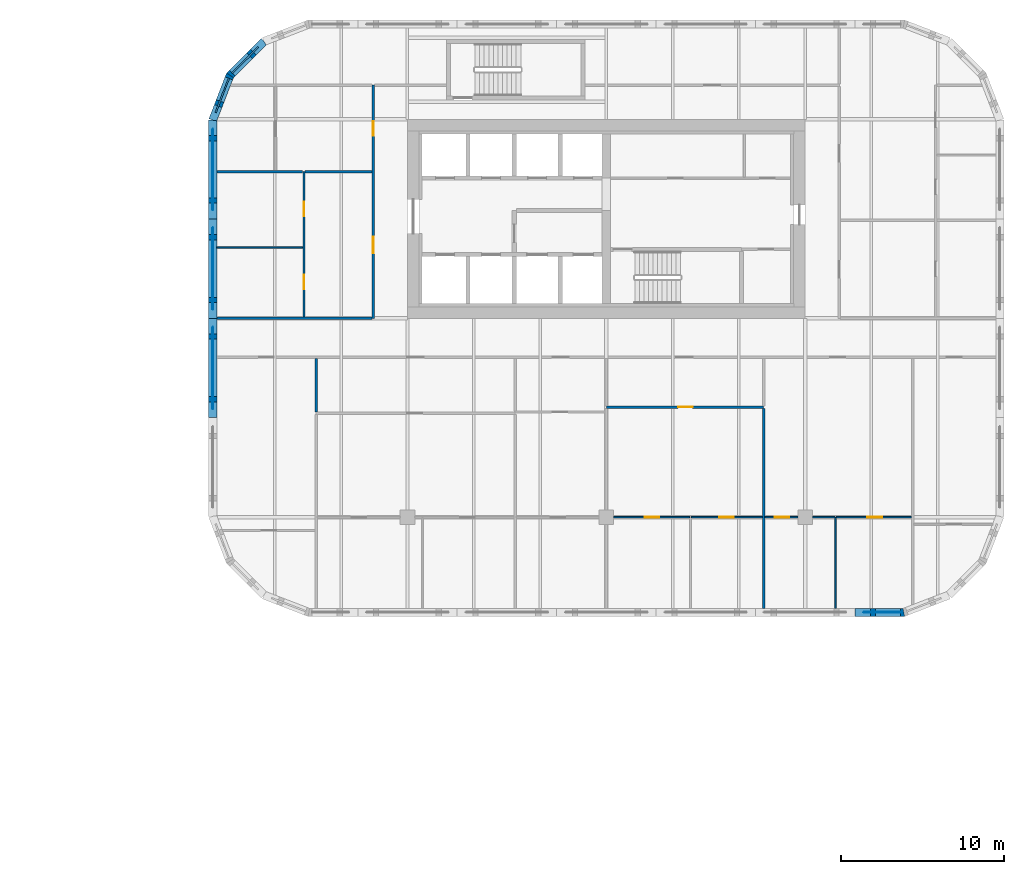
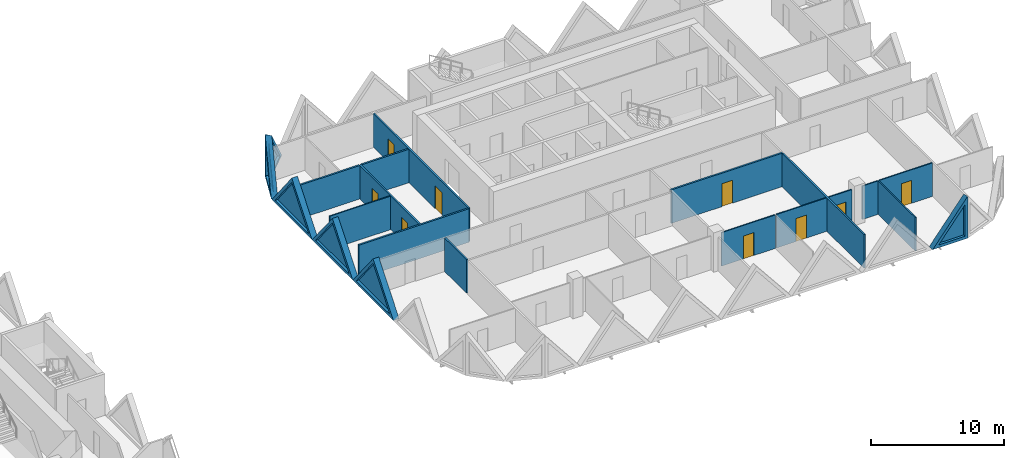
# One storey, part 12 of 19: 21 walls, 9 doors, 6 plates, 15 openings.
"""IFC4 building model written with IfcOpenShell, lengths in metres."""

from ifc_helpers import new_model, si_unit, direction, frame, frame_2d, origin, place, context, subcontext, project, spatial, polyline, rectangle, outline, extrude, faceted_brep, source, transform, mapped, material, layer, layer_set, type_object, element, fill, save


model = new_model("IFC4")

# Units and contexts
model_context = context("Model", 3, precision=1e-05, world=origin(), true_north=direction((0.0, 1.0)))
body_context = subcontext(model_context, "Body", "Model", "MODEL_VIEW")
ifc_project = project(units=[si_unit("LENGTHUNIT", "METRE"), si_unit("AREAUNIT", "SQUARE_METRE"), si_unit("VOLUMEUNIT", "CUBIC_METRE"), si_unit("PLANEANGLEUNIT", "RADIAN"), si_unit("MASSUNIT", "GRAM", prefix="KILO")], contexts=[model_context])

# Site, building, storey
site_placement = place(None, origin())
site = spatial("IfcSite", under=ifc_project, at=site_placement, CompositionType="ELEMENT")
building_placement = place(site_placement, origin())
building = spatial("IfcBuilding", under=site, at=building_placement, Name="Tessera Gate Towers", CompositionType="ELEMENT")
storey_placement = place(building_placement, frame((0.0, 0.0, 25.800048828125)))
storey = spatial("IfcBuildingStorey", under=building, at=storey_placement, Name="L05", CompositionType="ELEMENT", Elevation=25.800048828125)

# Wall
ifc_material_1 = material(Name="Gypsum board on steel studs, mineral wool", Category="steel")
ifc_layer_1 = layer(ifc_material_1, 0.14990234375)
ifc_layer_set_1 = layer_set([ifc_layer_1], Name="CORRIDOR WALL 150")
wall_type_1 = type_object("IfcWallType", Name="CORRIDOR WALL 150", PredefinedType="PARTITIONING", material=ifc_layer_set_1)
wall_1_placement = place(storey_placement, frame((85.89990234375, 36.60009765625, 0.0), z_axis=(0.0, 0.0, 1.0), x_axis=(1.0, 0.0, 0.0)))
element("IfcWall", 1, at=wall_1_placement, inside=storey, type_object=wall_type_1, Name="T2-L05-PW-028", PredefinedType="PARTITIONING", context=body_context, shape_type="SweptSolid", body=[
    extrude(rectangle(XDim=9.524169921875, YDim=0.14990234375, at=frame_2d((4.76220703125, 0.0))), origin(), (0.0, 0.0, 1.0), 3.06689453125),
])

# Wall, openings, doors
wall_2_placement = place(storey_placement, frame((95.5, 36.60009765625, 0.0), z_axis=(0.0, 0.0, 1.0), x_axis=(0.0, 1.0, 0.0)))
wall_2 = element("IfcWall", 2, at=wall_2_placement, inside=storey, type_object=wall_type_1, Name="T2-L05-PW-029", PredefinedType="PARTITIONING", context=body_context, shape_type="SweptSolid", body=[
    extrude(rectangle(XDim=14.2998046875, YDim=0.14990234375, at=frame_2d((7.14990234375, 0.0))), origin(), (0.0, 0.0, 1.0), 3.06689453125),
])
shared_shape_1 = source(origin(), body_context, "Body", "SweptSolid", [
    extrude(rectangle(XDim=0.89990234375, YDim=2.10009765625, at=frame_2d((0.449951171875, 1.050048828125))), frame((0.0, 0.0849609375, 0.0), z_axis=(0.0, -1.0, 0.0), x_axis=(1.0, 0.0, 0.0)), (0.0, 0.0, 1.0), 0.169921875),
])
opening_1_placement = place(wall_2_placement, frame((11.200927734375, 0.0, 0.0)))
opening_1 = element("IfcOpeningElement", 3, at=opening_1_placement, cuts=wall_2, Name="Opening D890FD60-B03-02", PredefinedType="OPENING", context=body_context, shape_type="MappedRepresentation", body=[
    mapped(shared_shape_1, transform((0.0, 0.0, 0.0), scale=1.0)),
])
shared_shape_2 = source(origin(), body_context, "Body", "SweptSolid", [
    extrude(rectangle(XDim=1.0, YDim=2.10009765625, at=frame_2d((0.5, 1.050048828125))), frame((0.0, 0.0849609375, 0.0), z_axis=(0.0, -1.0, 0.0), x_axis=(1.0, 0.0, 0.0)), (0.0, 0.0, 1.0), 0.169921875),
])
opening_2_placement = place(wall_2_placement, frame((4.0, 0.0, 0.0)))
opening_2 = element("IfcOpeningElement", 4, at=opening_2_placement, cuts=wall_2, Name="Opening D2100FD60-B03-06", PredefinedType="OPENING", context=body_context, shape_type="MappedRepresentation", body=[
    mapped(shared_shape_2, transform((0.0, 0.0, 0.0), scale=1.0)),
])
ifc_material_2 = material(Name="Timber door leaf in steel frame", Category="steel")
door_type_1 = type_object("IfcDoorType", Name="CORRIDOR DOOR 900 FD60", OperationType="NOTDEFINED", PredefinedType="DOOR", material=ifc_material_2)
shared_shape_3 = source(origin(), body_context, "Body", "SweptSolid", [
    extrude(rectangle(XDim=0.89990234375, YDim=2.10009765625, at=frame_2d((0.449951171875, 1.050048828125))), frame((0.0, 0.02490234375, 0.0), z_axis=(0.0, -1.0, 0.0), x_axis=(1.0, 0.0, 0.0)), (0.0, 0.0, 1.0), 0.050048828125),
])
door_1_placement = place(opening_1_placement, origin())
door_1 = element("IfcDoor", 5, at=door_1_placement, inside=storey, type_object=door_type_1, Name="T2-L05-PD-012", OperationType="SINGLE_SWING_LEFT", OverallHeight=2.10009765625, OverallWidth=0.89990234375, PredefinedType="DOOR", context=body_context, shape_type="MappedRepresentation", body=[
    mapped(shared_shape_3, transform((0.0, 0.0, 0.0), scale=1.0)),
])
fill(opening_1, door_1)
ifc_material_3 = material(Name="Timber door leaf in steel frame", Category="steel")
door_type_2 = type_object("IfcDoorType", Name="TENANCY ENTRANCE DOOR 1000 FD60", OperationType="NOTDEFINED", PredefinedType="DOOR", material=ifc_material_3)
shared_shape_4 = source(origin(), body_context, "Body", "SweptSolid", [
    extrude(rectangle(XDim=1.0, YDim=2.10009765625, at=frame_2d((0.5, 1.050048828125))), frame((0.0, 0.02490234375, 0.0), z_axis=(0.0, -1.0, 0.0), x_axis=(1.0, 0.0, 0.0)), (0.0, 0.0, 1.0), 0.050048828125),
])
door_2_placement = place(opening_2_placement, origin())
door_2 = element("IfcDoor", 6, at=door_2_placement, inside=storey, type_object=door_type_2, Name="T2-L05-PD-028", OperationType="SINGLE_SWING_LEFT", OverallHeight=2.10009765625, OverallWidth=1.0, PredefinedType="DOOR", context=body_context, shape_type="MappedRepresentation", body=[
    mapped(shared_shape_4, transform((0.0, 0.0, 0.0), scale=1.0)),
])
fill(opening_2, door_2)

# Wall
ifc_material_4 = material(Name="Gypsum board on steel studs", Category="steel")
ifc_layer_2 = layer(ifc_material_4, 0.10009765625)
ifc_layer_set_2 = layer_set([ifc_layer_2], Name="PARTITION 100")
wall_type_2 = type_object("IfcWallType", Name="PARTITION 100", PredefinedType="PARTITIONING", material=ifc_layer_set_2)
wall_3_placement = place(storey_placement, frame((123.8701171875, 18.800048828125, 0.0), z_axis=(0.0, 0.0, 1.0), x_axis=(0.0, 1.0, 0.0)))
element("IfcWall", 7, at=wall_3_placement, inside=storey, type_object=wall_type_2, Name="T2-L05-PW-007", PredefinedType="PARTITIONING", context=body_context, shape_type="SweptSolid", body=[
    extrude(rectangle(XDim=5.599853515625, YDim=0.10009765625, at=frame_2d((2.7998046875, 0.0))), origin(), (0.0, 0.0, 1.0), 3.06689453125),
])

# Wall, opening, door
wall_4_placement = place(storey_placement, frame((114.91162109375, 24.39990234375, 0.0), z_axis=(0.0, 0.0, 1.0), x_axis=(-1.0, 0.0, 0.0)))
wall_4 = element("IfcWall", 8, at=wall_4_placement, inside=storey, type_object=wall_type_2, Name="T2-L05-PW-014", PredefinedType="PARTITIONING", context=body_context, shape_type="SweptSolid", body=[
    extrude(rectangle(XDim=4.66064453125, YDim=0.10009765625, at=frame_2d((2.330322265625, 0.0))), origin(), (0.0, 0.0, 1.0), 3.06689453125),
])
shared_shape_5 = source(origin(), body_context, "Body", "SweptSolid", [
    extrude(rectangle(XDim=0.89990234375, YDim=2.10009765625, at=frame_2d((0.449951171875, 1.050048828125))), frame((0.0, 0.06005859375, 0.0), z_axis=(0.0, -1.0, 0.0), x_axis=(1.0, 0.0, 0.0)), (0.0, 0.0, 1.0), 0.1201171875),
])
opening_3_placement = place(wall_4_placement, frame((1.860595703125, 0.0, 0.0)))
opening_3 = element("IfcOpeningElement", 9, at=opening_3_placement, cuts=wall_4, Name="Opening D190-B03-07", PredefinedType="OPENING", context=body_context, shape_type="MappedRepresentation", body=[
    mapped(shared_shape_5, transform((0.0, 0.0, 0.0), scale=1.0)),
])
ifc_material_5 = material(Name="Timber door leaf in steel frame", Category="steel")
door_type_3 = type_object("IfcDoorType", Name="INTERNAL DOOR 900 NOT RATED", OperationType="NOTDEFINED", PredefinedType="DOOR", material=ifc_material_5)
door_3_placement = place(opening_3_placement, origin())
door_3 = element("IfcDoor", 10, at=door_3_placement, inside=storey, type_object=door_type_3, Name="T2-L05-PD-007", OperationType="SINGLE_SWING_RIGHT", OverallHeight=2.10009765625, OverallWidth=0.89990234375, PredefinedType="DOOR", context=body_context, shape_type="MappedRepresentation", body=[
    mapped(shared_shape_3, transform((0.0, 0.0, 0.0), scale=1.0)),
])
fill(opening_3, door_3)

wall_5_placement = place(storey_placement, frame((119.3740234375, 24.39990234375, 0.0), z_axis=(0.0, 0.0, 1.0), x_axis=(-1.0, 0.0, 0.0)))
wall_5 = element("IfcWall", 11, at=wall_5_placement, inside=storey, type_object=wall_type_2, Name="T2-L05-PW-015", PredefinedType="PARTITIONING", context=body_context, shape_type="SweptSolid", body=[
    extrude(rectangle(XDim=4.360107421875, YDim=0.10009765625, at=frame_2d((2.18017578125, 0.0))), origin(), (0.0, 0.0, 1.0), 3.06689453125),
])
opening_4_placement = place(wall_5_placement, frame((1.76025390625, 0.0, 0.0)))
opening_4 = element("IfcOpeningElement", 12, at=opening_4_placement, cuts=wall_5, Name="Opening D190-B03-04", PredefinedType="OPENING", context=body_context, shape_type="MappedRepresentation", body=[
    mapped(shared_shape_5, transform((0.0, 0.0, 0.0), scale=1.0)),
])
door_4_placement = place(opening_4_placement, origin())
door_4 = element("IfcDoor", 13, at=door_4_placement, inside=storey, type_object=door_type_3, Name="T2-L05-PD-004", OperationType="SINGLE_SWING_RIGHT", OverallHeight=2.10009765625, OverallWidth=0.89990234375, PredefinedType="DOOR", context=body_context, shape_type="MappedRepresentation", body=[
    mapped(shared_shape_3, transform((0.0, 0.0, 0.0), scale=1.0)),
])
fill(opening_4, door_4)

wall_6_placement = place(storey_placement, frame((121.549072265625, 24.39990234375, 0.0), z_axis=(0.0, 0.0, 1.0), x_axis=(-1.0, 0.0, 0.0)))
wall_6 = element("IfcWall", 14, at=wall_6_placement, inside=storey, type_object=wall_type_2, Name="T2-L05-PW-016", PredefinedType="PARTITIONING", context=body_context, shape_type="SweptSolid", body=[
    extrude(rectangle(XDim=2.023193359375, YDim=0.10009765625, at=frame_2d((1.01171875, 0.0))), origin(), (0.0, 0.0, 1.0), 3.06689453125),
])
opening_5_placement = place(wall_6_placement, frame((0.52294921875, 0.0, 0.0)))
opening_5 = element("IfcOpeningElement", 15, at=opening_5_placement, cuts=wall_6, Name="Opening D190-B03-01", PredefinedType="OPENING", context=body_context, shape_type="MappedRepresentation", body=[
    mapped(shared_shape_5, transform((0.0, 0.0, 0.0), scale=1.0)),
])
door_5_placement = place(opening_5_placement, origin())
door_5 = element("IfcDoor", 16, at=door_5_placement, inside=storey, type_object=door_type_3, Name="T2-L05-PD-001", OperationType="SINGLE_SWING_RIGHT", OverallHeight=2.10009765625, OverallWidth=0.89990234375, PredefinedType="DOOR", context=body_context, shape_type="MappedRepresentation", body=[
    mapped(shared_shape_3, transform((0.0, 0.0, 0.0), scale=1.0)),
])
fill(opening_5, door_5)

# Wall
wall_7_placement = place(storey_placement, frame((122.450927734375, 24.39990234375, 0.0), z_axis=(0.0, 0.0, 1.0), x_axis=(1.0, 0.0, 0.0)))
element("IfcWall", 17, at=wall_7_placement, inside=storey, type_object=wall_type_2, Name="T2-L05-PW-017", PredefinedType="PARTITIONING", context=body_context, shape_type="SweptSolid", body=[
    extrude(rectangle(XDim=1.368408203125, YDim=0.10009765625, at=frame_2d((0.68408203125, 0.0))), origin(), (0.0, 0.0, 1.0), 3.06689453125),
])

# Wall, opening, door
wall_8_placement = place(storey_placement, frame((128.52392578125, 24.39990234375, 0.0), z_axis=(0.0, 0.0, 1.0), x_axis=(-1.0, 0.0, 0.0)))
wall_8 = element("IfcWall", 18, at=wall_8_placement, inside=storey, type_object=wall_type_2, Name="T2-L05-PW-018", PredefinedType="PARTITIONING", context=body_context, shape_type="SweptSolid", body=[
    extrude(rectangle(XDim=4.6025390625, YDim=0.10009765625, at=frame_2d((2.30126953125, 0.0))), origin(), (0.0, 0.0, 1.0), 3.06689453125),
])
opening_6_placement = place(wall_8_placement, frame((1.802734375, 0.0, 0.0)))
opening_6 = element("IfcOpeningElement", 19, at=opening_6_placement, cuts=wall_8, Name="Opening D190-B03-05", PredefinedType="OPENING", context=body_context, shape_type="MappedRepresentation", body=[
    mapped(shared_shape_5, transform((0.0, 0.0, 0.0), scale=1.0)),
])
door_6_placement = place(opening_6_placement, origin())
door_6 = element("IfcDoor", 20, at=door_6_placement, inside=storey, type_object=door_type_3, Name="T2-L05-PD-005", OperationType="SINGLE_SWING_RIGHT", OverallHeight=2.10009765625, OverallWidth=0.89990234375, PredefinedType="DOOR", context=body_context, shape_type="MappedRepresentation", body=[
    mapped(shared_shape_3, transform((0.0, 0.0, 0.0), scale=1.0)),
])
fill(opening_6, door_6)

# Walls
wall_9_placement = place(storey_placement, frame((85.89990234375, 40.947998046875, 0.0), z_axis=(0.0, 0.0, 1.0), x_axis=(1.0, 0.0, 0.0)))
element("IfcWall", 21, at=wall_9_placement, inside=storey, type_object=wall_type_2, Name="T2-L05-PW-034", PredefinedType="PARTITIONING", context=body_context, shape_type="SweptSolid", body=[
    extrude(rectangle(XDim=5.274169921875, YDim=0.10009765625, at=frame_2d((2.63720703125, 0.0))), origin(), (0.0, 0.0, 1.0), 3.06689453125),
])
ifc_material_6 = material(Name="Gypsum board on steel studs, mineral wool", Category="steel")
ifc_layer_3 = layer(ifc_material_6, 0.14990234375)
ifc_layer_set_3 = layer_set([ifc_layer_3], Name="TENANCY WALL 150")
wall_type_3 = type_object("IfcWallType", Name="TENANCY WALL 150", PredefinedType="PARTITIONING", material=ifc_layer_set_3)
wall_10_placement = place(storey_placement, frame((119.449951171875, 18.800048828125, 0.0), z_axis=(0.0, 0.0, 1.0), x_axis=(0.0, 1.0, 0.0)))
element("IfcWall", 22, at=wall_10_placement, inside=storey, type_object=wall_type_3, Name="T2-L05-PW-006", PredefinedType="PARTITIONING", context=body_context, shape_type="SweptSolid", body=[
    extrude(rectangle(XDim=12.27392578125, YDim=0.14990234375, at=frame_2d((6.136962890625, 0.0))), origin(), (0.0, 0.0, 1.0), 3.06689453125),
])
wall_11_placement = place(storey_placement, frame((92.0, 30.85107421875, 0.0), z_axis=(0.0, 0.0, 1.0), x_axis=(0.0, 1.0, 0.0)))
element("IfcWall", 23, at=wall_11_placement, inside=storey, type_object=wall_type_3, Name="T2-L05-PW-021", PredefinedType="PARTITIONING", context=body_context, shape_type="SweptSolid", body=[
    extrude(rectangle(XDim=3.27294921875, YDim=0.14990234375, at=frame_2d((1.636474609375, 0.0))), origin(), (0.0, 0.0, 1.0), 3.06689453125),
])

# Wall, opening, door
wall_12_placement = place(storey_placement, frame((119.449951171875, 31.14990234375, 0.0), z_axis=(0.0, 0.0, 1.0), x_axis=(-1.0, 0.0, 0.0)))
wall_12 = element("IfcWall", 24, at=wall_12_placement, inside=storey, type_object=wall_type_3, Name="T2-L05-PW-024", PredefinedType="PARTITIONING", context=body_context, shape_type="SweptSolid", body=[
    extrude(rectangle(XDim=9.64990234375, YDim=0.14990234375, at=frame_2d((4.824951171875, 0.0))), origin(), (0.0, 0.0, 1.0), 3.06689453125),
])
opening_7_placement = place(wall_12_placement, frame((4.35009765625, 0.0, 0.0)))
opening_7 = element("IfcOpeningElement", 25, at=opening_7_placement, cuts=wall_12, Name="Opening D190-B03-16", PredefinedType="OPENING", context=body_context, shape_type="MappedRepresentation", body=[
    mapped(shared_shape_1, transform((0.0, 0.0, 0.0), scale=1.0)),
])
door_7_placement = place(opening_7_placement, origin())
door_7 = element("IfcDoor", 26, at=door_7_placement, inside=storey, type_object=door_type_3, Name="T2-L05-PD-024", OperationType="SINGLE_SWING_RIGHT", OverallHeight=2.10009765625, OverallWidth=0.89990234375, PredefinedType="DOOR", context=body_context, shape_type="MappedRepresentation", body=[
    mapped(shared_shape_3, transform((0.0, 0.0, 0.0), scale=1.0)),
])
fill(opening_7, door_7)

# Wall, openings, doors
wall_13_placement = place(storey_placement, frame((91.25, 36.676025390625, 0.0), z_axis=(0.0, 0.0, 1.0), x_axis=(0.0, 1.0, 0.0)))
wall_13 = element("IfcWall", 27, at=wall_13_placement, inside=storey, type_object=wall_type_3, Name="T2-L05-PW-032", PredefinedType="PARTITIONING", context=body_context, shape_type="SweptSolid", body=[
    extrude(rectangle(XDim=8.924072265625, YDim=0.14990234375, at=frame_2d((4.4619140625, 0.0))), origin(), (0.0, 0.0, 1.0), 3.06689453125),
])
opening_8_placement = place(wall_13_placement, frame((1.699951171875, 0.0, 0.0)))
opening_8 = element("IfcOpeningElement", 28, at=opening_8_placement, cuts=wall_13, Name="Opening D190-B03-03", PredefinedType="OPENING", context=body_context, shape_type="MappedRepresentation", body=[
    mapped(shared_shape_1, transform((0.0, 0.0, 0.0), scale=1.0)),
])
opening_9_placement = place(wall_13_placement, frame((6.171875, 0.0, 0.0)))
opening_9 = element("IfcOpeningElement", 29, at=opening_9_placement, cuts=wall_13, Name="Opening D190-B03-06", PredefinedType="OPENING", context=body_context, shape_type="MappedRepresentation", body=[
    mapped(shared_shape_1, transform((0.0, 0.0, 0.0), scale=1.0)),
])
door_8_placement = place(opening_8_placement, origin())
door_8 = element("IfcDoor", 30, at=door_8_placement, inside=storey, type_object=door_type_3, Name="T2-L05-PD-003", OperationType="SINGLE_SWING_LEFT", OverallHeight=2.10009765625, OverallWidth=0.89990234375, PredefinedType="DOOR", context=body_context, shape_type="MappedRepresentation", body=[
    mapped(shared_shape_3, transform((0.0, 0.0, 0.0), scale=1.0)),
])
fill(opening_8, door_8)
door_9_placement = place(opening_9_placement, origin())
door_9 = element("IfcDoor", 31, at=door_9_placement, inside=storey, type_object=door_type_3, Name="T2-L05-PD-006", OperationType="SINGLE_SWING_LEFT", OverallHeight=2.10009765625, OverallWidth=0.89990234375, PredefinedType="DOOR", context=body_context, shape_type="MappedRepresentation", body=[
    mapped(shared_shape_3, transform((0.0, 0.0, 0.0), scale=1.0)),
])
fill(opening_9, door_9)

# Walls
wall_14_placement = place(storey_placement, frame((85.89990234375, 45.60009765625, 0.0), z_axis=(0.0, 0.0, 1.0), x_axis=(1.0, 0.0, 0.0)))
element("IfcWall", 32, at=wall_14_placement, inside=storey, type_object=wall_type_3, Name="T2-L05-PW-037", PredefinedType="PARTITIONING", context=body_context, shape_type="SweptSolid", body=[
    extrude(rectangle(XDim=5.274169921875, YDim=0.14990234375, at=frame_2d((2.63720703125, 0.0))), origin(), (0.0, 0.0, 1.0), 3.06689453125),
])
wall_15_placement = place(storey_placement, frame((91.325927734375, 45.60009765625, 0.0), z_axis=(0.0, 0.0, 1.0), x_axis=(1.0, 0.0, 0.0)))
element("IfcWall", 33, at=wall_15_placement, inside=storey, type_object=wall_type_3, Name="T2-L05-PW-038", PredefinedType="PARTITIONING", context=body_context, shape_type="SweptSolid", body=[
    extrude(rectangle(XDim=4.09814453125, YDim=0.14990234375, at=frame_2d((2.049072265625, 0.0))), origin(), (0.0, 0.0, 1.0), 3.06689453125),
])

# Wall, opening, plate
ifc_material_7 = material(Name="Precast concrete C60/75 white", Category="concrete")
ifc_layer_4 = layer(ifc_material_7, 0.5)
ifc_layer_set_4 = layer_set([ifc_layer_4], Name="TS2 half tessera")
wall_type_4 = type_object("IfcWallType", Name="TS2 half tessera", PredefinedType="SOLIDWALL", material=ifc_layer_set_4)
shared_shape_6 = source(origin(), body_context, "Body", "Brep", [
    faceted_brep([(6.099853515625, -0.25, 0.000244140625), (3.050048828125, -0.25, 3.800048828125), (0.0, -0.25, 0.0), (6.099853515625, -0.25, 0.0), (0.0, 0.25, 0.0), (3.050048828125, 0.25, 3.800048828125), (6.099853515625, 0.25, 0.000244140625), (6.099853515625, 0.25, 0.0)], [[[0, 1, 2, 3]], [[4, 5, 6, 7]], [[6, 5, 1, 0]], [[5, 4, 2, 1]], [[4, 7, 3, 2]], [[3, 7, 6, 0]]]),
])
wall_16_placement = place(storey_placement, frame((85.64990234375, 42.699951171875, 0.0), z_axis=(0.0, 0.0, 1.0), x_axis=(0.0, -1.0, 0.0)))
wall_16 = element("IfcWall", 34, at=wall_16_placement, inside=storey, type_object=wall_type_4, Name="Precast half tessera T2 TS2-0051", PredefinedType="SOLIDWALL", context=body_context, shape_type="MappedRepresentation", body=[
    mapped(shared_shape_6, transform((0.0, 0.0, 0.0), scale=1.0)),
])
shared_shape_7 = source(origin(), body_context, "Body", "SweptSolid", [
    extrude(outline(polyline([(5.578857421875, 0.25), (3.050048828125, 3.400634765625), (0.521240234375, 0.25), (5.578857421875, 0.25)])), frame((0.0, 0.260009765625, 0.0), z_axis=(0.0, -1.0, 0.0), x_axis=(1.0, 0.0, 0.0)), (0.0, 0.0, 1.0), 0.52001953125),
])
opening_10_placement = place(wall_16_placement, origin())
opening_10 = element("IfcOpeningElement", 35, at=opening_10_placement, cuts=wall_16, Name="Opening T2-PL1-0097", PredefinedType="OPENING", context=body_context, shape_type="MappedRepresentation", body=[
    mapped(shared_shape_7, transform((0.0, 0.0, 0.0), scale=1.0)),
])
ifc_material_8 = material(Name="Low-e laminated glass", Category="glass")
ifc_layer_5 = layer(ifc_material_8, 0.06005859375)
ifc_layer_set_5 = layer_set([ifc_layer_5], Name="PL1 triangular pane")
plate_type = type_object("IfcPlateType", Name="PL1 triangular pane", PredefinedType="SHEET", material=ifc_layer_set_5)
shared_shape_8 = source(origin(), body_context, "Body", "SweptSolid", [
    extrude(outline(polyline([(5.578857421875, 0.25), (3.050048828125, 3.400634765625), (0.521240234375, 0.25), (5.578857421875, 0.25)])), frame((0.0, 0.030029296875, 0.0), z_axis=(0.0, -1.0, 0.0), x_axis=(1.0, 0.0, 0.0)), (0.0, 0.0, 1.0), 0.06005859375),
])
plate_1_placement = place(opening_10_placement, origin())
plate_1 = element("IfcPlate", 36, at=plate_1_placement, inside=storey, type_object=plate_type, Name="Glass pane T2 PL1-0097", PredefinedType="SHEET", context=body_context, shape_type="MappedRepresentation", body=[
    mapped(shared_shape_8, transform((0.0, 0.0, 0.0), scale=1.0)),
])
fill(opening_10, plate_1)

shared_shape_9 = source(origin(), body_context, "Body", "SweptSolid", [
    extrude(outline(polyline([(6.10009765625, 0.0), (3.050048828125, 3.800048828125), (0.0, 0.0), (6.10009765625, 0.0)])), frame((0.0, 0.25, 0.0), z_axis=(0.0, -1.0, 0.0), x_axis=(1.0, 0.0, 0.0)), (0.0, 0.0, 1.0), 0.5),
])
wall_17_placement = place(storey_placement, frame((85.64990234375, 36.60009765625, 0.0), z_axis=(0.0, 0.0, 1.0), x_axis=(0.0, -1.0, 0.0)))
wall_17 = element("IfcWall", 37, at=wall_17_placement, inside=storey, type_object=wall_type_4, Name="Precast half tessera T2 TS2-0052", PredefinedType="SOLIDWALL", context=body_context, shape_type="MappedRepresentation", body=[
    mapped(shared_shape_9, transform((0.0, 0.0, 0.0), scale=1.0)),
])
opening_11_placement = place(wall_17_placement, origin())
opening_11 = element("IfcOpeningElement", 38, at=opening_11_placement, cuts=wall_17, Name="Opening T2-PL1-0098", PredefinedType="OPENING", context=body_context, shape_type="MappedRepresentation", body=[
    mapped(shared_shape_7, transform((0.0, 0.0, 0.0), scale=1.0)),
])
plate_2_placement = place(opening_11_placement, origin())
plate_2 = element("IfcPlate", 39, at=plate_2_placement, inside=storey, type_object=plate_type, Name="Glass pane T2 PL1-0098", PredefinedType="SHEET", context=body_context, shape_type="MappedRepresentation", body=[
    mapped(shared_shape_8, transform((0.0, 0.0, 0.0), scale=1.0)),
])
fill(opening_11, plate_2)

ifc_material_9 = material(Name="Precast concrete C60/75 white", Category="concrete")
ifc_layer_6 = layer(ifc_material_9, 0.5)
ifc_layer_set_6 = layer_set([ifc_layer_6], Name="TS3 corner tessera")
wall_type_5 = type_object("IfcWallType", Name="TS3 corner tessera", PredefinedType="SOLIDWALL", material=ifc_layer_set_6)
shared_shape_10 = source(origin(), body_context, "Body", "Brep", [
    faceted_brep([(3.050048828125, -0.25, 3.739990234375), (3.00341796875, -0.25, 3.800048828125), (0.0, -0.25, 0.0), (3.050048828125, -0.25, 0.0), (0.0, 0.25, 0.0), (2.956787109375, 0.25, 3.7412109375), (2.956787109375, 0.25, 0.0), (3.00341796875, 0.000244140625, 3.800048828125)], [[[0, 1, 2, 3]], [[4, 5, 6]], [[7, 1, 0]], [[5, 4, 2, 1, 7]], [[4, 6, 3, 2]], [[3, 6, 5, 7, 0]]]),
])
wall_18_placement = place(storey_placement, frame((125.050048828125, 18.550048828125, 0.0), z_axis=(0.0, 0.0, 1.0), x_axis=(1.0, 0.0, 0.0)))
wall_18 = element("IfcWall", 40, at=wall_18_placement, inside=storey, type_object=wall_type_5, Name="Precast corner tessera T2 TS3-0051", PredefinedType="SOLIDWALL", context=body_context, shape_type="MappedRepresentation", body=[
    mapped(shared_shape_10, transform((0.0, 0.0, 0.0), scale=1.0)),
])
shared_shape_11 = source(origin(), body_context, "Body", "SweptSolid", [
    extrude(outline(polyline([(2.803466796875, 3.143798828125), (0.516357421875, 0.25), (2.803466796875, 0.25), (2.803466796875, 3.143798828125)])), frame((0.0, 0.260009765625, 0.0), z_axis=(0.0, -1.0, 0.0), x_axis=(1.0, 0.0, 0.0)), (0.0, 0.0, 1.0), 0.52001953125),
])
opening_12_placement = place(wall_18_placement, origin())
opening_12 = element("IfcOpeningElement", 41, at=opening_12_placement, cuts=wall_18, Name="Opening T2-PL1-0075", PredefinedType="OPENING", context=body_context, shape_type="MappedRepresentation", body=[
    mapped(shared_shape_11, transform((0.0, 0.0, 0.0), scale=1.0)),
])
shared_shape_12 = source(origin(), body_context, "Body", "SweptSolid", [
    extrude(outline(polyline([(2.803466796875, 3.143798828125), (0.516357421875, 0.25), (2.803466796875, 0.25), (2.803466796875, 3.143798828125)])), frame((0.0, 0.030029296875, 0.0), z_axis=(0.0, -1.0, 0.0), x_axis=(1.0, 0.0, 0.0)), (0.0, 0.0, 1.0), 0.06005859375),
])
plate_3_placement = place(opening_12_placement, origin())
plate_3 = element("IfcPlate", 42, at=plate_3_placement, inside=storey, type_object=plate_type, Name="Glass pane T2 PL1-0075", PredefinedType="SHEET", context=body_context, shape_type="MappedRepresentation", body=[
    mapped(shared_shape_12, transform((0.0, 0.0, 0.0), scale=1.0)),
])
fill(opening_12, plate_3)

shared_shape_13 = source(origin(), body_context, "Body", "Brep", [
    faceted_brep([(2.9970703125, -0.25, 3.73193359375), (2.944091796875, -0.25, 3.800048828125), (0.0, -0.25, 0.0), (2.9970703125, -0.25, 0.0), (0.052978515625, 0.25, 0.068359375), (2.89111328125, 0.25, 3.73193359375), (2.89111328125, 0.25, 0.0), (0.052978515625, 0.25, 0.0), (2.944091796875, 0.000244140625, 3.800048828125), (0.0, 0.0, 0.0)], [[[0, 1, 2, 3]], [[4, 5, 6, 7]], [[8, 1, 0]], [[5, 4, 9, 2, 1, 8]], [[7, 6, 3, 2, 9]], [[7, 9, 4]], [[3, 6, 5, 8, 0]]]),
])
wall_19_placement = place(storey_placement, frame((88.793701171875, 53.588134765625, 0.0), z_axis=(0.0, 0.0, 1.0), x_axis=(-0.707066050402, -0.707147509625, 0.0)))
wall_19 = element("IfcWall", 43, at=wall_19_placement, inside=storey, type_object=wall_type_5, Name="Precast corner tessera T2 TS3-0061", PredefinedType="SOLIDWALL", context=body_context, shape_type="MappedRepresentation", body=[
    mapped(shared_shape_13, transform((0.0, 0.0, 0.0), scale=1.0)),
])
shared_shape_14 = source(origin(), body_context, "Body", "SweptSolid", [
    extrude(outline(polyline([(2.744140625, 3.133544921875), (0.510009765625, 0.25), (2.744140625, 0.25), (2.744140625, 3.133544921875)])), frame((0.0, 0.260009765625, 0.0), z_axis=(0.0, -1.0, 0.0), x_axis=(1.0, 0.0, 0.0)), (0.0, 0.0, 1.0), 0.52001953125),
])
opening_13_placement = place(wall_19_placement, origin())
opening_13 = element("IfcOpeningElement", 44, at=opening_13_placement, cuts=wall_19, Name="Opening T2-PL1-0094", PredefinedType="OPENING", context=body_context, shape_type="MappedRepresentation", body=[
    mapped(shared_shape_14, transform((0.0, 0.0, 0.0), scale=1.0)),
])
shared_shape_15 = source(origin(), body_context, "Body", "SweptSolid", [
    extrude(outline(polyline([(2.744140625, 3.133544921875), (0.510009765625, 0.25), (2.744140625, 0.25), (2.744140625, 3.133544921875)])), frame((0.0, 0.030029296875, 0.0), z_axis=(0.0, -1.0, 0.0), x_axis=(1.0, 0.0, 0.0)), (0.0, 0.0, 1.0), 0.06005859375),
])
plate_4_placement = place(opening_13_placement, origin())
plate_4 = element("IfcPlate", 45, at=plate_4_placement, inside=storey, type_object=plate_type, Name="Glass pane T2 PL1-0094", PredefinedType="SHEET", context=body_context, shape_type="MappedRepresentation", body=[
    mapped(shared_shape_15, transform((0.0, 0.0, 0.0), scale=1.0)),
])
fill(opening_13, plate_4)

shared_shape_16 = source(origin(), body_context, "Body", "Brep", [
    faceted_brep([(6.053466796875, -0.25, 0.0), (3.00341796875, -0.25, 3.800048828125), (0.0, -0.25, 0.0), (0.046630859375, 0.25, 0.058837890625), (3.00341796875, 0.25, 3.800048828125), (6.053466796875, 0.25, 0.0), (0.046630859375, 0.25, 0.0), (0.0, 0.0, 0.0)], [[[0, 1, 2]], [[3, 4, 5, 6]], [[5, 4, 1, 0]], [[4, 3, 7, 2, 1]], [[6, 5, 0, 2, 7]], [[6, 7, 3]]]),
])
wall_20_placement = place(storey_placement, frame((85.64990234375, 48.75341796875, 0.0), z_axis=(0.0, 0.0, 1.0), x_axis=(0.0, -1.0, 0.0)))
wall_20 = element("IfcWall", 46, at=wall_20_placement, inside=storey, type_object=wall_type_4, Name="Precast half tessera T2 TS2-0050", PredefinedType="SOLIDWALL", context=body_context, shape_type="MappedRepresentation", body=[
    mapped(shared_shape_16, transform((0.0, 0.0, 0.0), scale=1.0)),
])
shared_shape_17 = source(origin(), body_context, "Body", "SweptSolid", [
    extrude(outline(polyline([(5.5322265625, 0.25), (3.0048828125, 3.398681640625), (0.516357421875, 0.25), (5.5322265625, 0.25)])), frame((0.0, 0.260009765625, 0.0), z_axis=(0.0, -1.0, 0.0), x_axis=(1.0, 0.0, 0.0)), (0.0, 0.0, 1.0), 0.52001953125),
])
opening_14_placement = place(wall_20_placement, origin())
opening_14 = element("IfcOpeningElement", 47, at=opening_14_placement, cuts=wall_20, Name="Opening T2-PL1-0096", PredefinedType="OPENING", context=body_context, shape_type="MappedRepresentation", body=[
    mapped(shared_shape_17, transform((0.0, 0.0, 0.0), scale=1.0)),
])
shared_shape_18 = source(origin(), body_context, "Body", "SweptSolid", [
    extrude(outline(polyline([(5.5322265625, 0.25), (3.0048828125, 3.398681640625), (0.516357421875, 0.25), (5.5322265625, 0.25)])), frame((0.0, 0.030029296875, 0.0), z_axis=(0.0, -1.0, 0.0), x_axis=(1.0, 0.0, 0.0)), (0.0, 0.0, 1.0), 0.06005859375),
])
plate_5_placement = place(opening_14_placement, origin())
plate_5 = element("IfcPlate", 48, at=plate_5_placement, inside=storey, type_object=plate_type, Name="Glass pane T2 PL1-0096", PredefinedType="SHEET", context=body_context, shape_type="MappedRepresentation", body=[
    mapped(shared_shape_18, transform((0.0, 0.0, 0.0), scale=1.0)),
])
fill(opening_14, plate_5)

shared_shape_19 = source(origin(), body_context, "Body", "Brep", [
    faceted_brep([(3.00341796875, -0.25, 0.0), (0.052978515625, -0.25, 3.800048828125), (0.0, -0.25, 3.731689453125), (0.0, -0.25, 0.0), (0.10595703125, 0.25, 3.73193359375), (2.95703125, 0.25, 0.059814453125), (2.95703125, 0.25, 0.0), (0.10595703125, 0.25, 0.0), (0.052978515625, 0.0, 3.800048828125), (3.00341796875, 0.00048828125, 0.0)], [[[0, 1, 2, 3]], [[4, 5, 6, 7]], [[5, 4, 8, 1, 0, 9]], [[2, 1, 8]], [[7, 6, 9, 0, 3]], [[7, 3, 2, 8, 4]], [[9, 6, 5]]]),
])
wall_21_placement = place(storey_placement, frame((86.73095703125, 51.5556640625, 0.0), z_axis=(0.0, 0.0, 1.0), x_axis=(-0.359855894603, -0.933007896601, 0.0)))
wall_21 = element("IfcWall", 49, at=wall_21_placement, inside=storey, type_object=wall_type_5, Name="Precast corner tessera T2 TS3-0062", PredefinedType="SOLIDWALL", context=body_context, shape_type="MappedRepresentation", body=[
    mapped(shared_shape_19, transform((0.0, 0.0, 0.0), scale=1.0)),
])
shared_shape_20 = source(origin(), body_context, "Body", "SweptSolid", [
    extrude(outline(polyline([(2.492919921875, 0.25), (0.2529296875, 3.134765625), (0.2529296875, 0.25), (2.492919921875, 0.25)])), frame((0.0, 0.260009765625, 0.0), z_axis=(0.0, -1.0, 0.0), x_axis=(1.0, 0.0, 0.0)), (0.0, 0.0, 1.0), 0.52001953125),
])
opening_15_placement = place(wall_21_placement, origin())
opening_15 = element("IfcOpeningElement", 50, at=opening_15_placement, cuts=wall_21, Name="Opening T2-PL1-0095", PredefinedType="OPENING", context=body_context, shape_type="MappedRepresentation", body=[
    mapped(shared_shape_20, transform((0.0, 0.0, 0.0), scale=1.0)),
])
shared_shape_21 = source(origin(), body_context, "Body", "SweptSolid", [
    extrude(outline(polyline([(2.492919921875, 0.25), (0.2529296875, 3.134765625), (0.2529296875, 0.25), (2.492919921875, 0.25)])), frame((0.0, 0.030029296875, 0.0), z_axis=(0.0, -1.0, 0.0), x_axis=(1.0, 0.0, 0.0)), (0.0, 0.0, 1.0), 0.06005859375),
])
plate_6_placement = place(opening_15_placement, origin())
plate_6 = element("IfcPlate", 51, at=plate_6_placement, inside=storey, type_object=plate_type, Name="Glass pane T2 PL1-0095", PredefinedType="SHEET", context=body_context, shape_type="MappedRepresentation", body=[
    mapped(shared_shape_21, transform((0.0, 0.0, 0.0), scale=1.0)),
])
fill(opening_15, plate_6)

save(model, "model.ifc")
